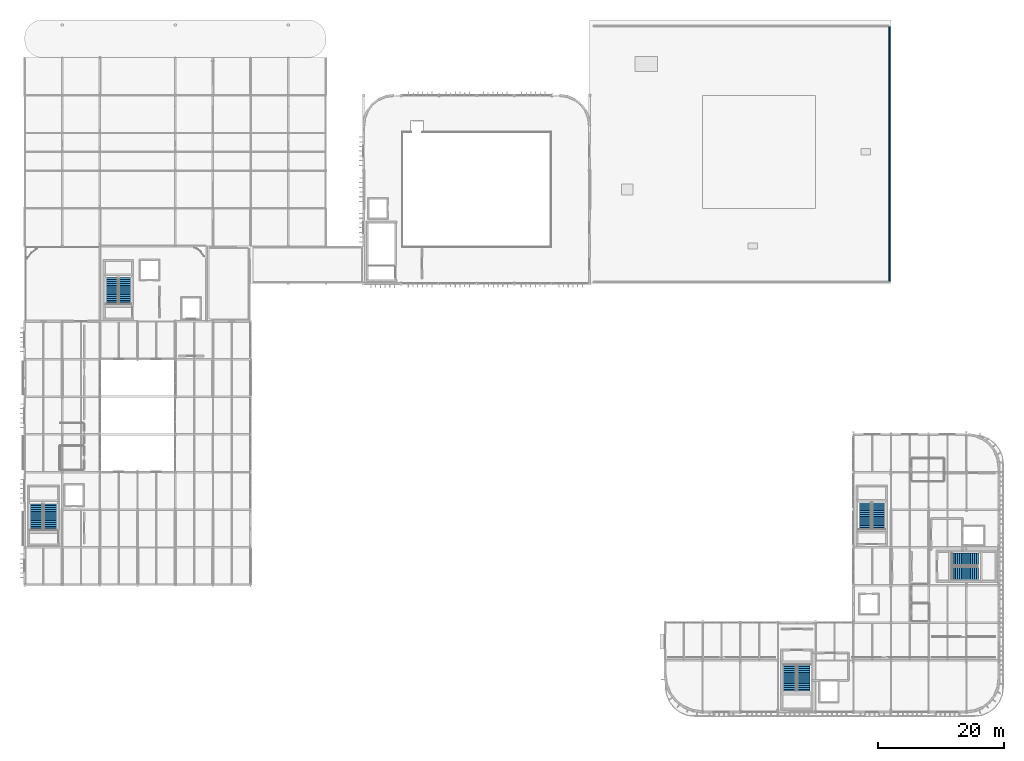
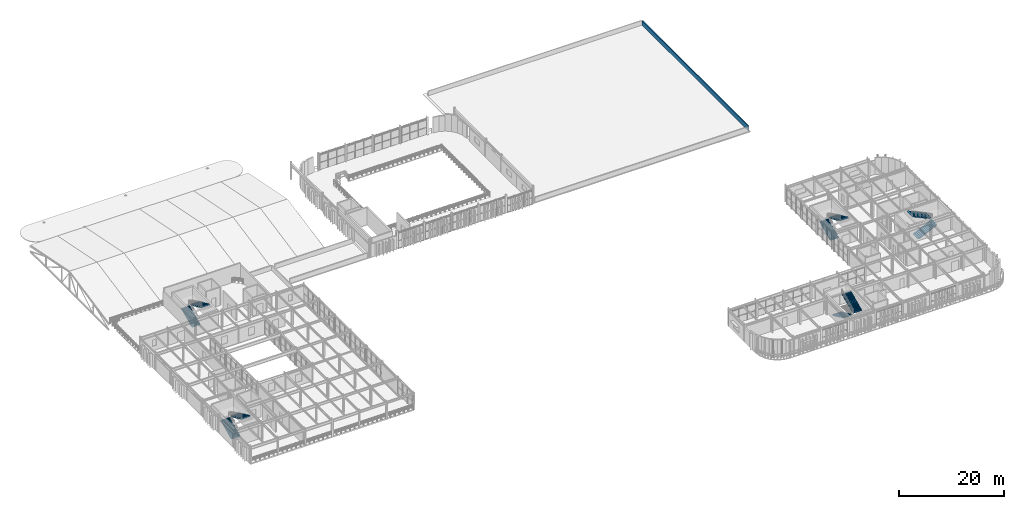
# One storey, part 66 of 83: 10 stair flights, 1 wall, 5 elements without a shape of their own.
"""IFC4 building model written with IfcOpenShell, lengths in metres."""

from ifc_helpers import new_model, si_unit, direction, frame, frame_2d, origin, place, context, subcontext, project, spatial, polyline, rectangle, outline, extrude, material, layer, layer_set, type_object, element, aggregate, save


model = new_model("IFC4")

# Units and contexts
model_context = context("Model", 3, precision=1e-05, world=origin(), true_north=direction((0.0, 1.0)))
body_context = subcontext(model_context, "Body", "Model", "MODEL_VIEW")
ifc_project = project(units=[si_unit("LENGTHUNIT", "METRE"), si_unit("AREAUNIT", "SQUARE_METRE"), si_unit("VOLUMEUNIT", "CUBIC_METRE"), si_unit("PLANEANGLEUNIT", "RADIAN"), si_unit("MASSUNIT", "GRAM", prefix="KILO")], contexts=[model_context])

# Site, building, storey
site_placement = place(None, origin())
site = spatial("IfcSite", under=ifc_project, at=site_placement, CompositionType="ELEMENT")
building_placement = place(site_placement, origin())
building = spatial("IfcBuilding", under=site, at=building_placement, Name="Varnakota Square Police Headquarters", CompositionType="ELEMENT")
storey_placement = place(building_placement, frame((0.0, 0.0, 18.0)))
storey = spatial("IfcBuildingStorey", under=building, at=storey_placement, Name="L04", CompositionType="ELEMENT", Elevation=18.0)

# Wall
ifc_material_1 = material(Name="Precast concrete M40", Category="concrete")
ifc_layer = layer(ifc_material_1, 0.2099609375, Name="Precast concrete M40")
ifc_layer_set = layer_set([ifc_layer], Name="Precast concrete M40")
wall_type = type_object("IfcWallType", Name="WL-PAR-210", PredefinedType="PARAPET", material=ifc_layer_set)
wall_placement = place(storey_placement, frame((143.75, 69.35498046875, 0.0), z_axis=(0.0, 0.0, 1.0), x_axis=(0.0, 1.0, 0.0)))
element("IfcWall", 1, at=wall_placement, inside=storey, type_object=wall_type, Name="Roof parapet wall PAR-L04-013", PredefinedType="PARAPET", context=body_context, shape_type="SweptSolid", body=[
    extrude(rectangle(XDim=40.590087890625, YDim=0.2099609375, at=frame_2d((20.294921875, 0.0))), origin(), (0.0, 0.0, 1.0), 1.10009765625),
])

# Stair, stair flights
ifc_material_2 = material(Name="Concrete M40", Category="concrete")
stair_type_1 = type_object("IfcStairType", Name="STR-DOG-1850", PredefinedType="USERDEFINED", material=ifc_material_2)
stair_1_placement = place(storey_placement, origin())
stair_1 = element("IfcStair", 2, at=stair_1_placement, inside=storey, type_object=stair_type_1, Name="Protected exit stair ST5 (L04)", ObjectType="TWO_RETURN_STAIR", PredefinedType="USERDEFINED")
stair_flight_type_1 = type_object("IfcStairFlightType", Name="SFL-DOG-1850", PredefinedType="STRAIGHT", material=ifc_material_2)
stair_flight_1_placement = place(storey_placement, frame((19.945068359375, 65.75, 0.0), z_axis=(0.0, 0.0, 1.0), x_axis=(0.0, 1.0, 0.0)))
stair_flight_1 = element("IfcStairFlight", 3, at=stair_flight_1_placement, type_object=stair_flight_type_1, Name="ST5-L04 flight 1", NumberOfRisers=15, NumberOfTreads=14, PredefinedType="STRAIGHT", RiserHeight=0.14, TreadLength=0.3, context=body_context, shape_type="SweptSolid", body=[
    extrude(outline(polyline([(0.0, 0.0), (0.0, 0.139892578125), (0.300048828125, 0.139892578125), (0.300048828125, 0.280029296875), (0.60009765625, 0.280029296875), (0.60009765625, 0.419921875), (0.900146484375, 0.419921875), (0.900146484375, 0.56005859375), (1.2001953125, 0.56005859375), (1.2001953125, 0.699951171875), (1.500244140625, 0.699951171875), (1.500244140625, 0.840087890625), (1.80029296875, 0.840087890625), (1.80029296875, 0.97998046875), (2.100341796875, 0.97998046875), (2.100341796875, 1.1201171875), (2.400390625, 1.1201171875), (2.400390625, 1.260009765625), (2.700439453125, 1.260009765625), (2.700439453125, 1.39990234375), (3.00048828125, 1.39990234375), (3.00048828125, 1.5400390625), (3.300537109375, 1.5400390625), (3.300537109375, 1.679931640625), (3.6005859375, 1.679931640625), (3.6005859375, 1.820068359375), (3.900634765625, 1.820068359375), (3.900634765625, 1.9599609375), (4.20068359375, 1.9599609375), (4.20068359375, 2.10009765625), (4.20068359375, 1.761474609375), (0.425537109375, 0.0), (0.0, 0.0)])), frame((0.0, 0.925048828125, 0.0), z_axis=(0.0, -1.0, 0.0), x_axis=(1.0, 0.0, 0.0)), (0.0, 0.0, 1.0), 1.85009765625),
])
stair_flight_2_placement = place(storey_placement, frame((21.955078125, 69.95068359375, 2.10009765625), z_axis=(0.0, 0.0, 1.0), x_axis=(0.0, -1.0, 0.0)))
stair_flight_2 = element("IfcStairFlight", 4, at=stair_flight_2_placement, type_object=stair_flight_type_1, Name="ST5-L04 flight 2", NumberOfRisers=15, NumberOfTreads=14, PredefinedType="STRAIGHT", RiserHeight=0.14, TreadLength=0.3, context=body_context, shape_type="SweptSolid", body=[
    extrude(outline(polyline([(0.0, 0.0), (0.0, 0.139892578125), (0.300048828125, 0.139892578125), (0.300048828125, 0.280029296875), (0.60009765625, 0.280029296875), (0.60009765625, 0.419921875), (0.900146484375, 0.419921875), (0.900146484375, 0.56005859375), (1.2001953125, 0.56005859375), (1.2001953125, 0.699951171875), (1.500244140625, 0.699951171875), (1.500244140625, 0.840087890625), (1.80029296875, 0.840087890625), (1.80029296875, 0.97998046875), (2.100341796875, 0.97998046875), (2.100341796875, 1.1201171875), (2.400390625, 1.1201171875), (2.400390625, 1.260009765625), (2.700439453125, 1.260009765625), (2.700439453125, 1.39990234375), (3.00048828125, 1.39990234375), (3.00048828125, 1.5400390625), (3.300537109375, 1.5400390625), (3.300537109375, 1.679931640625), (3.6005859375, 1.679931640625), (3.6005859375, 1.820068359375), (3.900634765625, 1.820068359375), (3.900634765625, 1.9599609375), (4.20068359375, 1.9599609375), (4.20068359375, 2.10009765625), (4.20068359375, 1.761474609375), (0.425537109375, 0.0), (0.0, 0.0)])), frame((0.0, 0.925048828125, 0.0), z_axis=(0.0, -1.0, 0.0), x_axis=(1.0, 0.0, 0.0)), (0.0, 0.0, 1.0), 1.85009765625),
])
aggregate(stair_1, [stair_flight_1, stair_flight_2])

stair_type_2 = type_object("IfcStairType", Name="STR-DOG-1900", PredefinedType="USERDEFINED", material=ifc_material_2)
stair_2_placement = place(storey_placement, origin())
stair_2 = element("IfcStair", 5, at=stair_2_placement, inside=storey, type_object=stair_type_2, Name="Protected exit stair ST3 (L04)", ObjectType="TWO_RETURN_STAIR", PredefinedType="USERDEFINED")
stair_flight_type_2 = type_object("IfcStairFlightType", Name="SFL-DOG-1900", PredefinedType="STRAIGHT", material=ifc_material_2)
stair_flight_3_placement = place(storey_placement, frame((139.919921875, 29.85009765625, 0.0), z_axis=(0.0, 0.0, 1.0), x_axis=(0.0, 1.0, 0.0)))
stair_flight_3 = element("IfcStairFlight", 6, at=stair_flight_3_placement, type_object=stair_flight_type_2, Name="ST3-L04 flight 1", NumberOfRisers=15, NumberOfTreads=14, PredefinedType="STRAIGHT", RiserHeight=0.14, TreadLength=0.3, context=body_context, shape_type="SweptSolid", body=[
    extrude(outline(polyline([(0.0, 0.0), (0.0, 0.139892578125), (0.300048828125, 0.139892578125), (0.300048828125, 0.280029296875), (0.60009765625, 0.280029296875), (0.60009765625, 0.419921875), (0.900146484375, 0.419921875), (0.900146484375, 0.56005859375), (1.2001953125, 0.56005859375), (1.2001953125, 0.699951171875), (1.500244140625, 0.699951171875), (1.500244140625, 0.840087890625), (1.80029296875, 0.840087890625), (1.80029296875, 0.97998046875), (2.100341796875, 0.97998046875), (2.100341796875, 1.1201171875), (2.400390625, 1.1201171875), (2.400390625, 1.260009765625), (2.700439453125, 1.260009765625), (2.700439453125, 1.39990234375), (3.00048828125, 1.39990234375), (3.00048828125, 1.5400390625), (3.300537109375, 1.5400390625), (3.300537109375, 1.679931640625), (3.6005859375, 1.679931640625), (3.6005859375, 1.820068359375), (3.900634765625, 1.820068359375), (3.900634765625, 1.9599609375), (4.20068359375, 1.9599609375), (4.20068359375, 2.10009765625), (4.20068359375, 1.761474609375), (0.425537109375, 0.0), (0.0, 0.0)])), frame((0.0, 0.949951171875, 0.0), z_axis=(0.0, -1.0, 0.0), x_axis=(1.0, 0.0, 0.0)), (0.0, 0.0, 1.0), 1.89990234375),
])
stair_flight_4_placement = place(storey_placement, frame((141.97998046875, 34.05078125, 2.10009765625), z_axis=(0.0, 0.0, 1.0), x_axis=(0.0, -1.0, 0.0)))
stair_flight_4 = element("IfcStairFlight", 7, at=stair_flight_4_placement, type_object=stair_flight_type_2, Name="ST3-L04 flight 2", NumberOfRisers=15, NumberOfTreads=14, PredefinedType="STRAIGHT", RiserHeight=0.14, TreadLength=0.3, context=body_context, shape_type="SweptSolid", body=[
    extrude(outline(polyline([(0.0, 0.0), (0.0, 0.139892578125), (0.300048828125, 0.139892578125), (0.300048828125, 0.280029296875), (0.60009765625, 0.280029296875), (0.60009765625, 0.419921875), (0.900146484375, 0.419921875), (0.900146484375, 0.56005859375), (1.2001953125, 0.56005859375), (1.2001953125, 0.699951171875), (1.500244140625, 0.699951171875), (1.500244140625, 0.840087890625), (1.80029296875, 0.840087890625), (1.80029296875, 0.97998046875), (2.100341796875, 0.97998046875), (2.100341796875, 1.1201171875), (2.400390625, 1.1201171875), (2.400390625, 1.260009765625), (2.700439453125, 1.260009765625), (2.700439453125, 1.39990234375), (3.00048828125, 1.39990234375), (3.00048828125, 1.5400390625), (3.300537109375, 1.5400390625), (3.300537109375, 1.679931640625), (3.6005859375, 1.679931640625), (3.6005859375, 1.820068359375), (3.900634765625, 1.820068359375), (3.900634765625, 1.9599609375), (4.20068359375, 1.9599609375), (4.20068359375, 2.10009765625), (4.20068359375, 1.761474609375), (0.425537109375, 0.0), (0.0, 0.0)])), frame((0.0, 0.949951171875, 0.0), z_axis=(0.0, -1.0, 0.0), x_axis=(1.0, 0.0, 0.0)), (0.0, 0.0, 1.0), 1.89990234375),
])
aggregate(stair_2, [stair_flight_3, stair_flight_4])

stair_type_3 = type_object("IfcStairType", Name="STR-DOG-2000", PredefinedType="USERDEFINED", material=ifc_material_2)
stair_3_placement = place(storey_placement, origin())
stair_3 = element("IfcStair", 8, at=stair_3_placement, inside=storey, type_object=stair_type_3, Name="Protected exit stair ST1 (L04)", ObjectType="TWO_RETURN_STAIR", PredefinedType="USERDEFINED")
stair_flight_type_3 = type_object("IfcStairFlightType", Name="SFL-DOG-2000", PredefinedType="STRAIGHT", material=ifc_material_2)
stair_flight_5_placement = place(storey_placement, frame((127.919921875, 8.300048828125, 0.0), z_axis=(0.0, 0.0, 1.0), x_axis=(0.0, -1.0, 0.0)))
stair_flight_5 = element("IfcStairFlight", 9, at=stair_flight_5_placement, type_object=stair_flight_type_3, Name="ST1-L04 flight 1", NumberOfRisers=15, NumberOfTreads=14, PredefinedType="STRAIGHT", RiserHeight=0.14, TreadLength=0.3, context=body_context, shape_type="SweptSolid", body=[
    extrude(outline(polyline([(0.0, 0.0), (0.0, 0.139892578125), (0.300048828125, 0.139892578125), (0.300048828125, 0.280029296875), (0.60009765625, 0.280029296875), (0.60009765625, 0.419921875), (0.900146484375, 0.419921875), (0.900146484375, 0.56005859375), (1.2001953125, 0.56005859375), (1.2001953125, 0.699951171875), (1.500244140625, 0.699951171875), (1.500244140625, 0.840087890625), (1.80029296875, 0.840087890625), (1.80029296875, 0.97998046875), (2.100341796875, 0.97998046875), (2.100341796875, 1.1201171875), (2.400390625, 1.1201171875), (2.400390625, 1.260009765625), (2.700439453125, 1.260009765625), (2.700439453125, 1.39990234375), (3.00048828125, 1.39990234375), (3.00048828125, 1.5400390625), (3.300537109375, 1.5400390625), (3.300537109375, 1.679931640625), (3.6005859375, 1.679931640625), (3.6005859375, 1.820068359375), (3.900634765625, 1.820068359375), (3.900634765625, 1.9599609375), (4.20068359375, 1.9599609375), (4.20068359375, 2.10009765625), (4.20068359375, 1.761474609375), (0.425537109375, 0.0), (0.0, 0.0)])), frame((0.0, 1.0, 0.0), z_axis=(0.0, -1.0, 0.0), x_axis=(1.0, 0.0, 0.0)), (0.0, 0.0, 1.0), 2.0),
])
stair_flight_6_placement = place(storey_placement, frame((130.080078125, 4.099365234375, 2.10009765625), z_axis=(0.0, 0.0, 1.0), x_axis=(0.0, 1.0, 0.0)))
stair_flight_6 = element("IfcStairFlight", 10, at=stair_flight_6_placement, type_object=stair_flight_type_3, Name="ST1-L04 flight 2", NumberOfRisers=15, NumberOfTreads=14, PredefinedType="STRAIGHT", RiserHeight=0.14, TreadLength=0.3, context=body_context, shape_type="SweptSolid", body=[
    extrude(outline(polyline([(0.0, 0.0), (0.0, 0.139892578125), (0.300048828125, 0.139892578125), (0.300048828125, 0.280029296875), (0.60009765625, 0.280029296875), (0.60009765625, 0.419921875), (0.900146484375, 0.419921875), (0.900146484375, 0.56005859375), (1.2001953125, 0.56005859375), (1.2001953125, 0.699951171875), (1.500244140625, 0.699951171875), (1.500244140625, 0.840087890625), (1.80029296875, 0.840087890625), (1.80029296875, 0.97998046875), (2.100341796875, 0.97998046875), (2.100341796875, 1.1201171875), (2.400390625, 1.1201171875), (2.400390625, 1.260009765625), (2.700439453125, 1.260009765625), (2.700439453125, 1.39990234375), (3.00048828125, 1.39990234375), (3.00048828125, 1.5400390625), (3.300537109375, 1.5400390625), (3.300537109375, 1.679931640625), (3.6005859375, 1.679931640625), (3.6005859375, 1.820068359375), (3.900634765625, 1.820068359375), (3.900634765625, 1.9599609375), (4.20068359375, 1.9599609375), (4.20068359375, 2.10009765625), (4.20068359375, 1.761474609375), (0.425537109375, 0.0), (0.0, 0.0)])), frame((0.0, 1.0, 0.0), z_axis=(0.0, -1.0, 0.0), x_axis=(1.0, 0.0, 0.0)), (0.0, 0.0, 1.0), 2.0),
])
aggregate(stair_3, [stair_flight_5, stair_flight_6])

stair_4_placement = place(storey_placement, origin())
stair_4 = element("IfcStair", 11, at=stair_4_placement, inside=storey, type_object=stair_type_3, Name="Protected exit stair ST2 (L04)", ObjectType="TWO_RETURN_STAIR", PredefinedType="USERDEFINED")
stair_flight_7_placement = place(storey_placement, frame((153.699951171875, 22.919921875, 0.0), z_axis=(0.0, 0.0, 1.0), x_axis=(1.0, 0.0, 0.0)))
stair_flight_7 = element("IfcStairFlight", 12, at=stair_flight_7_placement, type_object=stair_flight_type_3, Name="ST2-L04 flight 1", NumberOfRisers=15, NumberOfTreads=14, PredefinedType="STRAIGHT", RiserHeight=0.14, TreadLength=0.3, context=body_context, shape_type="SweptSolid", body=[
    extrude(outline(polyline([(0.0, 0.0), (0.0, 0.139892578125), (0.300048828125, 0.139892578125), (0.300048828125, 0.280029296875), (0.60009765625, 0.280029296875), (0.60009765625, 0.419921875), (0.900146484375, 0.419921875), (0.900146484375, 0.56005859375), (1.2001953125, 0.56005859375), (1.2001953125, 0.699951171875), (1.500244140625, 0.699951171875), (1.500244140625, 0.840087890625), (1.80029296875, 0.840087890625), (1.80029296875, 0.97998046875), (2.100341796875, 0.97998046875), (2.100341796875, 1.1201171875), (2.400390625, 1.1201171875), (2.400390625, 1.260009765625), (2.700439453125, 1.260009765625), (2.700439453125, 1.39990234375), (3.00048828125, 1.39990234375), (3.00048828125, 1.5400390625), (3.300537109375, 1.5400390625), (3.300537109375, 1.679931640625), (3.6005859375, 1.679931640625), (3.6005859375, 1.820068359375), (3.900634765625, 1.820068359375), (3.900634765625, 1.9599609375), (4.20068359375, 1.9599609375), (4.20068359375, 2.10009765625), (4.20068359375, 1.761474609375), (0.425537109375, 0.0), (0.0, 0.0)])), frame((0.0, 1.0, 0.0), z_axis=(0.0, -1.0, 0.0), x_axis=(1.0, 0.0, 0.0)), (0.0, 0.0, 1.0), 2.0),
])
stair_flight_8_placement = place(storey_placement, frame((157.900634765625, 25.080078125, 2.10009765625), z_axis=(0.0, 0.0, 1.0), x_axis=(-1.0, 0.0, 0.0)))
stair_flight_8 = element("IfcStairFlight", 13, at=stair_flight_8_placement, type_object=stair_flight_type_3, Name="ST2-L04 flight 2", NumberOfRisers=15, NumberOfTreads=14, PredefinedType="STRAIGHT", RiserHeight=0.14, TreadLength=0.3, context=body_context, shape_type="SweptSolid", body=[
    extrude(outline(polyline([(0.0, 0.0), (0.0, 0.139892578125), (0.300048828125, 0.139892578125), (0.300048828125, 0.280029296875), (0.60009765625, 0.280029296875), (0.60009765625, 0.419921875), (0.900146484375, 0.419921875), (0.900146484375, 0.56005859375), (1.2001953125, 0.56005859375), (1.2001953125, 0.699951171875), (1.500244140625, 0.699951171875), (1.500244140625, 0.840087890625), (1.80029296875, 0.840087890625), (1.80029296875, 0.97998046875), (2.100341796875, 0.97998046875), (2.100341796875, 1.1201171875), (2.400390625, 1.1201171875), (2.400390625, 1.260009765625), (2.700439453125, 1.260009765625), (2.700439453125, 1.39990234375), (3.00048828125, 1.39990234375), (3.00048828125, 1.5400390625), (3.300537109375, 1.5400390625), (3.300537109375, 1.679931640625), (3.6005859375, 1.679931640625), (3.6005859375, 1.820068359375), (3.900634765625, 1.820068359375), (3.900634765625, 1.9599609375), (4.20068359375, 1.9599609375), (4.20068359375, 2.10009765625), (4.20068359375, 1.761474609375), (0.425537109375, 0.0), (0.0, 0.0)])), frame((0.0, 1.0, 0.0), z_axis=(0.0, -1.0, 0.0), x_axis=(1.0, 0.0, 0.0)), (0.0, 0.0, 1.0), 2.0),
])
aggregate(stair_4, [stair_flight_7, stair_flight_8])

stair_5_placement = place(storey_placement, origin())
stair_5 = element("IfcStair", 14, at=stair_5_placement, inside=storey, type_object=stair_type_3, Name="Protected exit stair ST4 (L04)", ObjectType="TWO_RETURN_STAIR", PredefinedType="USERDEFINED")
stair_flight_9_placement = place(storey_placement, frame((7.919921875, 29.75, 0.0), z_axis=(0.0, 0.0, 1.0), x_axis=(0.0, 1.0, 0.0)))
stair_flight_9 = element("IfcStairFlight", 15, at=stair_flight_9_placement, type_object=stair_flight_type_3, Name="ST4-L04 flight 1", NumberOfRisers=15, NumberOfTreads=14, PredefinedType="STRAIGHT", RiserHeight=0.14, TreadLength=0.3, context=body_context, shape_type="SweptSolid", body=[
    extrude(outline(polyline([(0.0, 0.0), (0.0, 0.139892578125), (0.300048828125, 0.139892578125), (0.300048828125, 0.280029296875), (0.60009765625, 0.280029296875), (0.60009765625, 0.419921875), (0.900146484375, 0.419921875), (0.900146484375, 0.56005859375), (1.2001953125, 0.56005859375), (1.2001953125, 0.699951171875), (1.500244140625, 0.699951171875), (1.500244140625, 0.840087890625), (1.80029296875, 0.840087890625), (1.80029296875, 0.97998046875), (2.100341796875, 0.97998046875), (2.100341796875, 1.1201171875), (2.400390625, 1.1201171875), (2.400390625, 1.260009765625), (2.700439453125, 1.260009765625), (2.700439453125, 1.39990234375), (3.00048828125, 1.39990234375), (3.00048828125, 1.5400390625), (3.300537109375, 1.5400390625), (3.300537109375, 1.679931640625), (3.6005859375, 1.679931640625), (3.6005859375, 1.820068359375), (3.900634765625, 1.820068359375), (3.900634765625, 1.9599609375), (4.20068359375, 1.9599609375), (4.20068359375, 2.10009765625), (4.20068359375, 1.761474609375), (0.425537109375, 0.0), (0.0, 0.0)])), frame((0.0, 1.0, 0.0), z_axis=(0.0, -1.0, 0.0), x_axis=(1.0, 0.0, 0.0)), (0.0, 0.0, 1.0), 2.0),
])
stair_flight_10_placement = place(storey_placement, frame((10.080078125, 33.95068359375, 2.10009765625), z_axis=(0.0, 0.0, 1.0), x_axis=(0.0, -1.0, 0.0)))
stair_flight_10 = element("IfcStairFlight", 16, at=stair_flight_10_placement, type_object=stair_flight_type_3, Name="ST4-L04 flight 2", NumberOfRisers=15, NumberOfTreads=14, PredefinedType="STRAIGHT", RiserHeight=0.14, TreadLength=0.3, context=body_context, shape_type="SweptSolid", body=[
    extrude(outline(polyline([(0.0, 0.0), (0.0, 0.139892578125), (0.300048828125, 0.139892578125), (0.300048828125, 0.280029296875), (0.60009765625, 0.280029296875), (0.60009765625, 0.419921875), (0.900146484375, 0.419921875), (0.900146484375, 0.56005859375), (1.2001953125, 0.56005859375), (1.2001953125, 0.699951171875), (1.500244140625, 0.699951171875), (1.500244140625, 0.840087890625), (1.80029296875, 0.840087890625), (1.80029296875, 0.97998046875), (2.100341796875, 0.97998046875), (2.100341796875, 1.1201171875), (2.400390625, 1.1201171875), (2.400390625, 1.260009765625), (2.700439453125, 1.260009765625), (2.700439453125, 1.39990234375), (3.00048828125, 1.39990234375), (3.00048828125, 1.5400390625), (3.300537109375, 1.5400390625), (3.300537109375, 1.679931640625), (3.6005859375, 1.679931640625), (3.6005859375, 1.820068359375), (3.900634765625, 1.820068359375), (3.900634765625, 1.9599609375), (4.20068359375, 1.9599609375), (4.20068359375, 2.10009765625), (4.20068359375, 1.761474609375), (0.425537109375, 0.0), (0.0, 0.0)])), frame((0.0, 1.0, 0.0), z_axis=(0.0, -1.0, 0.0), x_axis=(1.0, 0.0, 0.0)), (0.0, 0.0, 1.0), 2.0),
])
aggregate(stair_5, [stair_flight_9, stair_flight_10])

save(model, "model.ifc")
